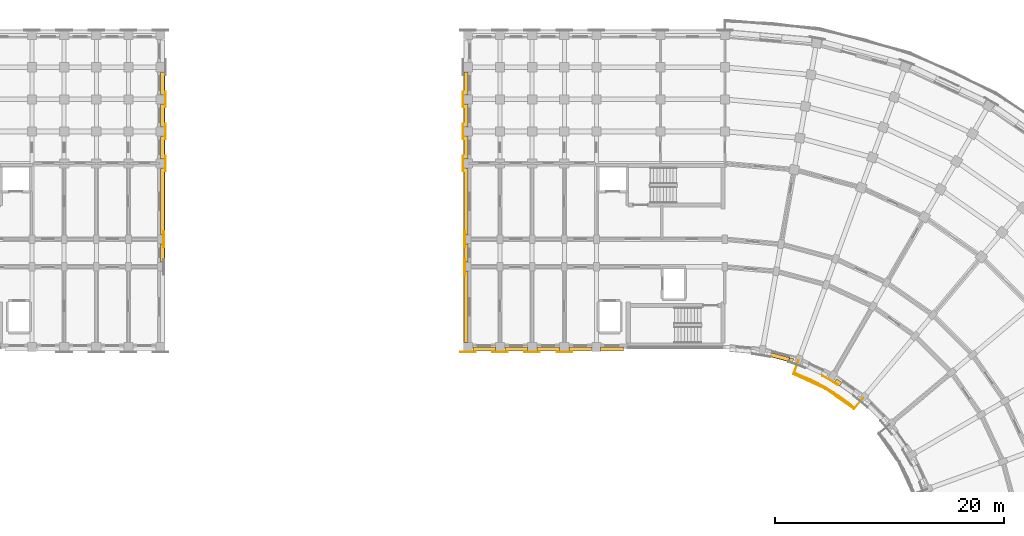
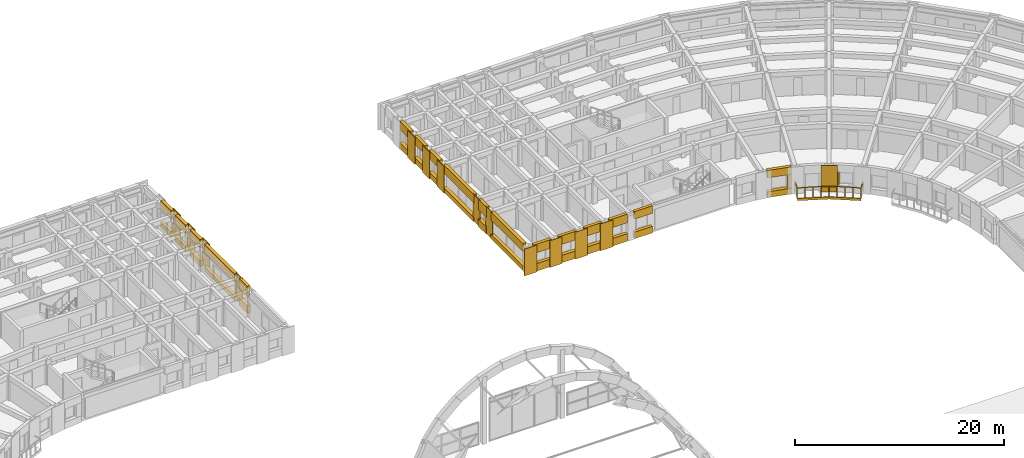
# One storey, part 69 of 76: 51 coverings, 1 railing.
"""IFC4 building model written with IfcOpenShell, lengths in metres."""

from ifc_helpers import new_model, si_unit, direction, frame, origin, origin_2d, place, context, subcontext, project, spatial, polyline, circle, outline, extrude, material, layer, layer_set, type_object, element, save


model = new_model("IFC4")

# Units and contexts
model_context = context("Model", 3, precision=1e-05, world=origin(), true_north=direction((0.0, 1.0)))
body_context = subcontext(model_context, "Body", "Model", "MODEL_VIEW")
ifc_project = project(units=[si_unit("LENGTHUNIT", "METRE"), si_unit("AREAUNIT", "SQUARE_METRE"), si_unit("VOLUMEUNIT", "CUBIC_METRE"), si_unit("PLANEANGLEUNIT", "RADIAN"), si_unit("MASSUNIT", "GRAM", prefix="KILO")], contexts=[model_context])

# Site, building, storey
site_placement = place(None, origin())
site = spatial("IfcSite", under=ifc_project, at=site_placement, CompositionType="ELEMENT")
building_placement = place(site_placement, origin())
building = spatial("IfcBuilding", under=site, at=building_placement, Name="Kiranvali Square Residences", CompositionType="ELEMENT")
storey_placement = place(building_placement, frame((0.0, 0.0, 8.699951171875)))
storey = spatial("IfcBuildingStorey", under=building, at=storey_placement, Name="L02", CompositionType="ELEMENT", Elevation=8.699951171875)

# Coverings
ifc_material_1 = material(Name="Carved Porbandar limestone classical entablature and cornice", Category="masonry")
ifc_layer_1 = layer(ifc_material_1, 0.06201171875)
ifc_layer_set_1 = layer_set([ifc_layer_1], Name="Carved Porbandar limestone classical entablature and cornice")
covering_type_1 = type_object("IfcCoveringType", Name="COV-CLAD-GBAL", PredefinedType="CLADDING", material=ifc_layer_set_1)
covering_1_placement = place(storey_placement, frame((0.0, 0.0, -0.219970703125)))
element("IfcCovering", 1, at=covering_1_placement, inside=storey, type_object=covering_type_1, Name="Block B L02 garden balcony limestone fascia 1", PredefinedType="CLADDING", context=body_context, shape_type="SweptSolid", body=[
    extrude(outline(polyline([(125.778564453125, 104.225830078125), (128.5400390625, 102.938232421875), (131.035888671875, 101.1904296875), (131.07958984375, 101.242431640625), (128.573974609375, 102.9970703125), (125.8017578125, 104.289794921875), (125.778564453125, 104.225830078125)])), origin(), (0.0, 0.0, 1.0), 0.27001953125),
])
ifc_material_2 = material(Name="Honed Porbandar limestone ashlar facade cladding", Category="masonry")
ifc_layer_2 = layer(ifc_material_2, 0.3798828125)
ifc_layer_set_2 = layer_set([ifc_layer_2], Name="Honed Porbandar limestone ashlar facade cladding")
covering_type_2 = type_object("IfcCoveringType", Name="COV-CLAD-JAMB", PredefinedType="CLADDING", material=ifc_layer_set_2)
covering_2_placement = place(storey_placement, frame((0.0, 0.0, 0.672119140625)))
element("IfcCovering", 2, at=covering_2_placement, inside=storey, type_object=covering_type_2, Name="L02 deep limestone window jamb reveal B-L02-GDN-01.R", PredefinedType="CLADDING", context=body_context, shape_type="SweptSolid", body=[
    extrude(outline(polyline([(125.356201171875, 105.348388671875), (125.717041015625, 105.251708984375), (125.804931640625, 105.57958984375), (125.444091796875, 105.67626953125), (125.356201171875, 105.348388671875)])), origin(), (0.0, 0.0, 1.0), 1.599853515625),
])
covering_3_placement = place(storey_placement, frame((0.0, 0.0, 0.77197265625)))
element("IfcCovering", 3, at=covering_3_placement, inside=storey, type_object=covering_type_2, Name="L02 deep limestone window jamb reveal B-L02-GDN-03.L", PredefinedType="CLADDING", context=body_context, shape_type="SweptSolid", body=[
    extrude(outline(polyline([(129.365478515625, 103.55029296875), (129.814697265625, 103.23583984375), (130.009521484375, 103.513916015625), (129.56005859375, 103.828369140625), (129.365478515625, 103.55029296875)])), origin(), (0.0, 0.0, 1.0), 1.5),
])
ifc_layer_3 = layer(ifc_material_2, 0.050048828125)
ifc_layer_set_3 = layer_set([ifc_layer_3], Name="Honed Porbandar limestone ashlar facade cladding")
covering_type_3 = type_object("IfcCoveringType", Name="COV-CLAD-PIER-IN", PredefinedType="CLADDING", material=ifc_layer_set_3)
covering_4_placement = place(storey_placement, frame((0.0, 0.0, 0.005126953125)))
element("IfcCovering", 4, at=covering_4_placement, inside=storey, type_object=covering_type_3, Name="L02 Classical garden courtyard pilaster CLAD-PRIN-B-L02-A03", PredefinedType="CLADDING", context=body_context, shape_type="SweptSolid", body=[
    extrude(outline(polyline([(128.273193359375, 104.075927734375), (129.658935546875, 103.27587890625), (129.692626953125, 103.33447265625), (128.306884765625, 104.134521484375), (128.273193359375, 104.075927734375)])), origin(), (0.0, 0.0, 1.0), 3.139892578125),
])
covering_5_placement = place(storey_placement, frame((0.0, 0.0, 0.005126953125)))
element("IfcCovering", 5, at=covering_5_placement, inside=storey, type_object=covering_type_3, Name="L02 Classical limestone pilaster casing CLAD-PRA1I-B-L02-U140", PredefinedType="CLADDING", context=body_context, shape_type="SweptSolid", body=[
    extrude(outline(polyline([(106.47998046875, 106.199462890625), (105.1201171875, 106.199462890625), (105.1201171875, 106.132080078125), (106.47998046875, 106.132080078125), (106.47998046875, 106.199462890625)])), origin(), (0.0, 0.0, 1.0), 3.139892578125),
])
covering_6_placement = place(storey_placement, frame((0.0, 0.0, 0.005126953125)))
element("IfcCovering", 6, at=covering_6_placement, inside=storey, type_object=covering_type_3, Name="L02 Classical limestone pilaster casing CLAD-PRA1I-B-L02-U167", PredefinedType="CLADDING", context=body_context, shape_type="SweptSolid", body=[
    extrude(outline(polyline([(103.679931640625, 106.199462890625), (102.320068359375, 106.199462890625), (102.320068359375, 106.132080078125), (103.679931640625, 106.132080078125), (103.679931640625, 106.199462890625)])), origin(), (0.0, 0.0, 1.0), 3.139892578125),
])
covering_7_placement = place(storey_placement, frame((0.0, 0.0, 0.005126953125)))
element("IfcCovering", 7, at=covering_7_placement, inside=storey, type_object=covering_type_3, Name="L02 Classical limestone pilaster casing CLAD-PRA1I-B-L02-U195", PredefinedType="CLADDING", context=body_context, shape_type="SweptSolid", body=[
    extrude(outline(polyline([(100.8798828125, 106.199462890625), (99.52001953125, 106.199462890625), (99.52001953125, 106.132080078125), (100.8798828125, 106.132080078125), (100.8798828125, 106.199462890625)])), origin(), (0.0, 0.0, 1.0), 3.139892578125),
])
covering_8_placement = place(storey_placement, frame((0.0, 0.0, 0.005126953125)))
element("IfcCovering", 8, at=covering_8_placement, inside=storey, type_object=covering_type_3, Name="L02 Classical limestone pilaster casing CLAD-PRA1I-B-L02-U224", PredefinedType="CLADDING", context=body_context, shape_type="SweptSolid", body=[
    extrude(outline(polyline([(98.080078125, 106.199462890625), (96.719970703125, 106.199462890625), (96.719970703125, 106.132080078125), (98.080078125, 106.132080078125), (98.080078125, 106.199462890625)])), origin(), (0.0, 0.0, 1.0), 3.139892578125),
])
ifc_layer_4 = layer(ifc_material_2, 0.054931640625)
ifc_layer_set_4 = layer_set([ifc_layer_4], Name="Honed Porbandar limestone ashlar facade cladding")
covering_type_4 = type_object("IfcCoveringType", Name="COV-CLAD-PIER-UP", PredefinedType="CLADDING", material=ifc_layer_set_4)
covering_9_placement = place(storey_placement, frame((0.0, 0.0, 0.005126953125)))
element("IfcCovering", 9, at=covering_9_placement, inside=storey, type_object=covering_type_4, Name="L02 Classical limestone pilaster casing CLAD-PRA1E-A-L02-R282", PredefinedType="CLADDING", context=body_context, shape_type="SweptSolid", body=[
    extrude(outline(polyline([(70.91796875, 115.320068359375), (70.91796875, 116.679931640625), (70.8505859375, 116.679931640625), (70.8505859375, 115.320068359375), (70.91796875, 115.320068359375)])), origin(), (0.0, 0.0, 1.0), 3.139892578125),
])
covering_10_placement = place(storey_placement, frame((0.0, 0.0, 0.005126953125)))
element("IfcCovering", 10, at=covering_10_placement, inside=storey, type_object=covering_type_4, Name="L02 Classical limestone pilaster casing CLAD-PRA1E-A-L02-R348", PredefinedType="CLADDING", context=body_context, shape_type="SweptSolid", body=[
    extrude(outline(polyline([(71.068115234375, 121.919921875), (71.068115234375, 123.280029296875), (71.00048828125, 123.280029296875), (71.00048828125, 121.919921875), (71.068115234375, 121.919921875)])), origin(), (0.0, 0.0, 1.0), 3.139892578125),
])
covering_11_placement = place(storey_placement, frame((0.0, 0.0, 0.005126953125)))
element("IfcCovering", 11, at=covering_11_placement, inside=storey, type_object=covering_type_4, Name="L02 Classical limestone pilaster casing CLAD-PRA1E-A-L02-R376", PredefinedType="CLADDING", context=body_context, shape_type="SweptSolid", body=[
    extrude(outline(polyline([(71.068115234375, 124.719970703125), (71.068115234375, 126.080078125), (71.00048828125, 126.080078125), (71.00048828125, 124.719970703125), (71.068115234375, 124.719970703125)])), origin(), (0.0, 0.0, 1.0), 3.139892578125),
])
covering_12_placement = place(storey_placement, frame((0.0, 0.0, 0.005126953125)))
element("IfcCovering", 12, at=covering_12_placement, inside=storey, type_object=covering_type_4, Name="L02 Classical limestone pilaster casing CLAD-PRA1E-A-L02-R404", PredefinedType="CLADDING", context=body_context, shape_type="SweptSolid", body=[
    extrude(outline(polyline([(71.068115234375, 127.52001953125), (71.068115234375, 128.8798828125), (71.00048828125, 128.8798828125), (71.00048828125, 127.52001953125), (71.068115234375, 127.52001953125)])), origin(), (0.0, 0.0, 1.0), 3.139892578125),
])
covering_13_placement = place(storey_placement, frame((0.0, 0.0, 0.005126953125)))
element("IfcCovering", 13, at=covering_13_placement, inside=storey, type_object=covering_type_4, Name="L02 Classical limestone pilaster casing CLAD-PRA1E-B-L02-R258", PredefinedType="CLADDING", context=body_context, shape_type="SweptSolid", body=[
    extrude(outline(polyline([(97.1494140625, 112.919921875), (97.1494140625, 114.280029296875), (97.08203125, 114.280029296875), (97.08203125, 112.919921875), (97.1494140625, 112.919921875)])), origin(), (0.0, 0.0, 1.0), 3.139892578125),
])
covering_14_placement = place(storey_placement, frame((0.0, 0.0, 0.005126953125)))
element("IfcCovering", 14, at=covering_14_placement, inside=storey, type_object=covering_type_4, Name="L02 Classical limestone pilaster casing CLAD-PRA1E-B-L02-R282", PredefinedType="CLADDING", context=body_context, shape_type="SweptSolid", body=[
    extrude(outline(polyline([(97.1494140625, 115.320068359375), (97.1494140625, 116.679931640625), (97.08203125, 116.679931640625), (97.08203125, 115.320068359375), (97.1494140625, 115.320068359375)])), origin(), (0.0, 0.0, 1.0), 3.139892578125),
])
covering_15_placement = place(storey_placement, frame((0.0, 0.0, 0.005126953125)))
element("IfcCovering", 15, at=covering_15_placement, inside=storey, type_object=covering_type_4, Name="L02 Classical limestone pilaster casing CLAD-PRA1E-B-L02-R348", PredefinedType="CLADDING", context=body_context, shape_type="SweptSolid", body=[
    extrude(outline(polyline([(96.99951171875, 121.919921875), (96.99951171875, 123.280029296875), (96.931884765625, 123.280029296875), (96.931884765625, 121.919921875), (96.99951171875, 121.919921875)])), origin(), (0.0, 0.0, 1.0), 3.139892578125),
])
covering_16_placement = place(storey_placement, frame((0.0, 0.0, 0.005126953125)))
element("IfcCovering", 16, at=covering_16_placement, inside=storey, type_object=covering_type_4, Name="L02 Classical limestone pilaster casing CLAD-PRA1E-B-L02-R376", PredefinedType="CLADDING", context=body_context, shape_type="SweptSolid", body=[
    extrude(outline(polyline([(96.99951171875, 124.719970703125), (96.99951171875, 126.080078125), (96.931884765625, 126.080078125), (96.931884765625, 124.719970703125), (96.99951171875, 124.719970703125)])), origin(), (0.0, 0.0, 1.0), 3.139892578125),
])
covering_17_placement = place(storey_placement, frame((0.0, 0.0, 0.005126953125)))
element("IfcCovering", 17, at=covering_17_placement, inside=storey, type_object=covering_type_4, Name="L02 Classical limestone pilaster casing CLAD-PRA1E-B-L02-R404", PredefinedType="CLADDING", context=body_context, shape_type="SweptSolid", body=[
    extrude(outline(polyline([(96.99951171875, 127.52001953125), (96.99951171875, 128.8798828125), (96.931884765625, 128.8798828125), (96.931884765625, 127.52001953125), (96.99951171875, 127.52001953125)])), origin(), (0.0, 0.0, 1.0), 3.139892578125),
])
ifc_layer_5 = layer(ifc_material_2, 0.360107421875)
ifc_layer_set_5 = layer_set([ifc_layer_5], Name="Honed Porbandar limestone ashlar facade cladding")
covering_type_5 = type_object("IfcCoveringType", Name="COV-CLAD-WALL", PredefinedType="CLADDING", material=ifc_layer_set_5)
covering_18_placement = place(storey_placement, frame((0.0, 0.0, 1.929931640625)))
element("IfcCovering", 18, at=covering_18_placement, inside=storey, type_object=covering_type_5, Name="L02 light limestone spandrel lintel A-L02-A1END-1", PredefinedType="CLADDING", context=body_context, shape_type="SweptSolid", body=[
    extrude(outline(polyline([(70.93994140625, 114.02001953125), (70.93994140625, 115.580078125), (70.6005859375, 115.580078125), (70.6005859375, 114.02001953125), (70.93994140625, 114.02001953125)])), origin(), (0.0, 0.0, 1.0), 1.215087890625),
])
covering_19_placement = place(storey_placement, frame((0.0, 0.0, 0.005126953125)))
element("IfcCovering", 19, at=covering_19_placement, inside=storey, type_object=covering_type_5, Name="L02 limestone window sill apron A-L02-A1END-1", PredefinedType="CLADDING", context=body_context, shape_type="SweptSolid", body=[
    extrude(outline(polyline([(70.969970703125, 114.02001953125), (70.969970703125, 115.580078125), (70.6005859375, 115.580078125), (70.6005859375, 114.02001953125), (70.969970703125, 114.02001953125)])), origin(), (0.0, 0.0, 1.0), 0.875),
])
covering_20_placement = place(storey_placement, frame((0.0, 0.0, 2.172119140625)))
element("IfcCovering", 20, at=covering_20_placement, inside=storey, type_object=covering_type_5, Name="L02 light limestone spandrel lintel A-L02-A1END-2", PredefinedType="CLADDING", context=body_context, shape_type="SweptSolid", body=[
    extrude(outline(polyline([(70.93994140625, 116.419921875), (70.93994140625, 122.179931640625), (70.6005859375, 122.179931640625), (70.6005859375, 116.419921875), (70.93994140625, 116.419921875)])), origin(), (0.0, 0.0, 1.0), 0.972900390625),
])
covering_21_placement = place(storey_placement, frame((0.0, 0.0, 0.005126953125)))
element("IfcCovering", 21, at=covering_21_placement, inside=storey, type_object=covering_type_5, Name="L02 limestone window sill apron A-L02-A1END-2", PredefinedType="CLADDING", context=body_context, shape_type="SweptSolid", body=[
    extrude(outline(polyline([(70.969970703125, 116.419921875), (70.969970703125, 122.179931640625), (70.6005859375, 122.179931640625), (70.6005859375, 116.419921875), (70.969970703125, 116.419921875)])), origin(), (0.0, 0.0, 1.0), 0.516845703125),
])
covering_22_placement = place(storey_placement, frame((0.0, 0.0, 2.172119140625)))
element("IfcCovering", 22, at=covering_22_placement, inside=storey, type_object=covering_type_5, Name="L02 light limestone spandrel lintel A-L02-A1END-3", PredefinedType="CLADDING", context=body_context, shape_type="SweptSolid", body=[
    extrude(outline(polyline([(70.93994140625, 123.02001953125), (70.93994140625, 124.97998046875), (70.6005859375, 124.97998046875), (70.6005859375, 123.02001953125), (70.93994140625, 123.02001953125)])), origin(), (0.0, 0.0, 1.0), 0.972900390625),
])
covering_23_placement = place(storey_placement, frame((0.0, 0.0, 0.005126953125)))
element("IfcCovering", 23, at=covering_23_placement, inside=storey, type_object=covering_type_5, Name="L02 limestone window sill apron A-L02-A1END-3", PredefinedType="CLADDING", context=body_context, shape_type="SweptSolid", body=[
    extrude(outline(polyline([(70.969970703125, 123.02001953125), (70.969970703125, 124.97998046875), (70.6005859375, 124.97998046875), (70.6005859375, 123.02001953125), (70.969970703125, 123.02001953125)])), origin(), (0.0, 0.0, 1.0), 0.6669921875),
])
covering_24_placement = place(storey_placement, frame((0.0, 0.0, 2.172119140625)))
element("IfcCovering", 24, at=covering_24_placement, inside=storey, type_object=covering_type_5, Name="L02 light limestone spandrel lintel A-L02-A1END-4", PredefinedType="CLADDING", context=body_context, shape_type="SweptSolid", body=[
    extrude(outline(polyline([(70.93994140625, 125.820068359375), (70.93994140625, 127.780029296875), (70.6005859375, 127.780029296875), (70.6005859375, 125.820068359375), (70.93994140625, 125.820068359375)])), origin(), (0.0, 0.0, 1.0), 0.972900390625),
])
covering_25_placement = place(storey_placement, frame((0.0, 0.0, 0.005126953125)))
element("IfcCovering", 25, at=covering_25_placement, inside=storey, type_object=covering_type_5, Name="L02 limestone window sill apron A-L02-A1END-4", PredefinedType="CLADDING", context=body_context, shape_type="SweptSolid", body=[
    extrude(outline(polyline([(70.969970703125, 125.820068359375), (70.969970703125, 127.780029296875), (70.6005859375, 127.780029296875), (70.6005859375, 125.820068359375), (70.969970703125, 125.820068359375)])), origin(), (0.0, 0.0, 1.0), 0.6669921875),
])
covering_26_placement = place(storey_placement, frame((0.0, 0.0, 2.172119140625)))
element("IfcCovering", 26, at=covering_26_placement, inside=storey, type_object=covering_type_5, Name="L02 light limestone spandrel lintel A-L02-A1END-5", PredefinedType="CLADDING", context=body_context, shape_type="SweptSolid", body=[
    extrude(outline(polyline([(70.93994140625, 128.6201171875), (70.93994140625, 130.580078125), (70.6005859375, 130.580078125), (70.6005859375, 128.6201171875), (70.93994140625, 128.6201171875)])), origin(), (0.0, 0.0, 1.0), 0.972900390625),
])
covering_27_placement = place(storey_placement, frame((0.0, 0.0, 0.005126953125)))
element("IfcCovering", 27, at=covering_27_placement, inside=storey, type_object=covering_type_5, Name="L02 limestone window sill apron A-L02-A1END-5", PredefinedType="CLADDING", context=body_context, shape_type="SweptSolid", body=[
    extrude(outline(polyline([(70.969970703125, 128.6201171875), (70.969970703125, 130.580078125), (70.6005859375, 130.580078125), (70.6005859375, 128.6201171875), (70.969970703125, 128.6201171875)])), origin(), (0.0, 0.0, 1.0), 0.6669921875),
])
covering_28_placement = place(storey_placement, frame((0.0, 0.0, 2.27197265625)))
element("IfcCovering", 28, at=covering_28_placement, inside=storey, type_object=covering_type_5, Name="L02 light limestone spandrel lintel B-L02-GDN-01", PredefinedType="CLADDING", context=body_context, shape_type="SweptSolid", body=[
    extrude(outline(polyline([(123.401611328125, 105.8720703125), (125.717041015625, 105.251708984375), (125.804931640625, 105.57958984375), (123.489501953125, 106.199951171875), (123.401611328125, 105.8720703125)])), origin(), (0.0, 0.0, 1.0), 0.873046875),
])
covering_29_placement = place(storey_placement, frame((0.0, 0.0, 2.27197265625)))
element("IfcCovering", 29, at=covering_29_placement, inside=storey, type_object=covering_type_5, Name="L02 light limestone spandrel lintel B-L02-A1IN-0", PredefinedType="CLADDING", context=body_context, shape_type="SweptSolid", body=[
    extrude(outline(polyline([(110.949951171875, 106.599609375), (108.949951171875, 106.599609375), (108.949951171875, 106.280029296875), (110.949951171875, 106.280029296875), (110.949951171875, 106.599609375)])), origin(), (0.0, 0.0, 1.0), 0.873046875),
])
covering_30_placement = place(storey_placement, frame((0.0, 0.0, 0.005126953125)))
element("IfcCovering", 30, at=covering_30_placement, inside=storey, type_object=covering_type_5, Name="L02 limestone window sill apron B-L02-A1IN-0", PredefinedType="CLADDING", context=body_context, shape_type="SweptSolid", body=[
    extrude(outline(polyline([(110.949951171875, 106.599609375), (108.949951171875, 106.599609375), (108.949951171875, 106.25), (110.949951171875, 106.25), (110.949951171875, 106.599609375)])), origin(), (0.0, 0.0, 1.0), 0.766845703125),
])
covering_31_placement = place(storey_placement, frame((0.0, 0.0, 2.130126953125)))
element("IfcCovering", 31, at=covering_31_placement, inside=storey, type_object=covering_type_5, Name="L02 light limestone spandrel lintel B-L02-A1I-0", PredefinedType="CLADDING", context=body_context, shape_type="SweptSolid", body=[
    extrude(outline(polyline([(108.179931640625, 106.599609375), (106.219970703125, 106.599609375), (106.219970703125, 106.280029296875), (108.179931640625, 106.280029296875), (108.179931640625, 106.599609375)])), origin(), (0.0, 0.0, 1.0), 1.014892578125),
])
covering_32_placement = place(storey_placement, frame((0.0, 0.0, 0.005126953125)))
element("IfcCovering", 32, at=covering_32_placement, inside=storey, type_object=covering_type_5, Name="L02 limestone window sill apron B-L02-A1I-0", PredefinedType="CLADDING", context=body_context, shape_type="SweptSolid", body=[
    extrude(outline(polyline([(108.179931640625, 106.599609375), (106.219970703125, 106.599609375), (106.219970703125, 106.25), (108.179931640625, 106.25), (108.179931640625, 106.599609375)])), origin(), (0.0, 0.0, 1.0), 0.875),
])
covering_33_placement = place(storey_placement, frame((0.0, 0.0, 2.130126953125)))
element("IfcCovering", 33, at=covering_33_placement, inside=storey, type_object=covering_type_5, Name="L02 light limestone spandrel lintel B-L02-A1I-1", PredefinedType="CLADDING", context=body_context, shape_type="SweptSolid", body=[
    extrude(outline(polyline([(105.3798828125, 106.599609375), (103.419921875, 106.599609375), (103.419921875, 106.280029296875), (105.3798828125, 106.280029296875), (105.3798828125, 106.599609375)])), origin(), (0.0, 0.0, 1.0), 1.014892578125),
])
covering_34_placement = place(storey_placement, frame((0.0, 0.0, 0.005126953125)))
element("IfcCovering", 34, at=covering_34_placement, inside=storey, type_object=covering_type_5, Name="L02 limestone window sill apron B-L02-A1I-1", PredefinedType="CLADDING", context=body_context, shape_type="SweptSolid", body=[
    extrude(outline(polyline([(105.3798828125, 106.599609375), (103.419921875, 106.599609375), (103.419921875, 106.25), (105.3798828125, 106.25), (105.3798828125, 106.599609375)])), origin(), (0.0, 0.0, 1.0), 0.875),
])
covering_35_placement = place(storey_placement, frame((0.0, 0.0, 2.130126953125)))
element("IfcCovering", 35, at=covering_35_placement, inside=storey, type_object=covering_type_5, Name="L02 light limestone spandrel lintel B-L02-A1I-2", PredefinedType="CLADDING", context=body_context, shape_type="SweptSolid", body=[
    extrude(outline(polyline([(102.580078125, 106.599609375), (100.6201171875, 106.599609375), (100.6201171875, 106.280029296875), (102.580078125, 106.280029296875), (102.580078125, 106.599609375)])), origin(), (0.0, 0.0, 1.0), 1.014892578125),
])
covering_36_placement = place(storey_placement, frame((0.0, 0.0, 0.005126953125)))
element("IfcCovering", 36, at=covering_36_placement, inside=storey, type_object=covering_type_5, Name="L02 limestone window sill apron B-L02-A1I-2", PredefinedType="CLADDING", context=body_context, shape_type="SweptSolid", body=[
    extrude(outline(polyline([(102.580078125, 106.599609375), (100.6201171875, 106.599609375), (100.6201171875, 106.25), (102.580078125, 106.25), (102.580078125, 106.599609375)])), origin(), (0.0, 0.0, 1.0), 0.875),
])
covering_37_placement = place(storey_placement, frame((0.0, 0.0, 2.130126953125)))
element("IfcCovering", 37, at=covering_37_placement, inside=storey, type_object=covering_type_5, Name="L02 light limestone spandrel lintel B-L02-A1I-3", PredefinedType="CLADDING", context=body_context, shape_type="SweptSolid", body=[
    extrude(outline(polyline([(99.780029296875, 106.599609375), (97.820068359375, 106.599609375), (97.820068359375, 106.280029296875), (99.780029296875, 106.280029296875), (99.780029296875, 106.599609375)])), origin(), (0.0, 0.0, 1.0), 1.014892578125),
])
covering_38_placement = place(storey_placement, frame((0.0, 0.0, 0.005126953125)))
element("IfcCovering", 38, at=covering_38_placement, inside=storey, type_object=covering_type_5, Name="L02 limestone window sill apron B-L02-A1I-3", PredefinedType="CLADDING", context=body_context, shape_type="SweptSolid", body=[
    extrude(outline(polyline([(99.780029296875, 106.599609375), (97.820068359375, 106.599609375), (97.820068359375, 106.25), (99.780029296875, 106.25), (99.780029296875, 106.599609375)])), origin(), (0.0, 0.0, 1.0), 0.875),
])
covering_39_placement = place(storey_placement, frame((0.0, 0.0, 2.172119140625)))
element("IfcCovering", 39, at=covering_39_placement, inside=storey, type_object=covering_type_5, Name="L02 light limestone spandrel lintel B-L02-A1END-0", PredefinedType="CLADDING", context=body_context, shape_type="SweptSolid", body=[
    extrude(outline(polyline([(97.3994140625, 107.02001953125), (97.3994140625, 113.179931640625), (97.06005859375, 113.179931640625), (97.06005859375, 107.02001953125), (97.3994140625, 107.02001953125)])), origin(), (0.0, 0.0, 1.0), 0.972900390625),
])
covering_40_placement = place(storey_placement, frame((0.0, 0.0, 0.005126953125)))
element("IfcCovering", 40, at=covering_40_placement, inside=storey, type_object=covering_type_5, Name="L02 limestone window sill apron B-L02-A1END-0", PredefinedType="CLADDING", context=body_context, shape_type="SweptSolid", body=[
    extrude(outline(polyline([(97.3994140625, 107.02001953125), (97.3994140625, 113.179931640625), (97.030029296875, 113.179931640625), (97.030029296875, 107.02001953125), (97.3994140625, 107.02001953125)])), origin(), (0.0, 0.0, 1.0), 0.516845703125),
])
covering_41_placement = place(storey_placement, frame((0.0, 0.0, 1.929931640625)))
element("IfcCovering", 41, at=covering_41_placement, inside=storey, type_object=covering_type_5, Name="L02 light limestone spandrel lintel B-L02-A1END-1", PredefinedType="CLADDING", context=body_context, shape_type="SweptSolid", body=[
    extrude(outline(polyline([(97.3994140625, 114.02001953125), (97.3994140625, 115.580078125), (97.06005859375, 115.580078125), (97.06005859375, 114.02001953125), (97.3994140625, 114.02001953125)])), origin(), (0.0, 0.0, 1.0), 1.215087890625),
])
covering_42_placement = place(storey_placement, frame((0.0, 0.0, 0.005126953125)))
element("IfcCovering", 42, at=covering_42_placement, inside=storey, type_object=covering_type_5, Name="L02 limestone window sill apron B-L02-A1END-1", PredefinedType="CLADDING", context=body_context, shape_type="SweptSolid", body=[
    extrude(outline(polyline([(97.3994140625, 114.02001953125), (97.3994140625, 115.580078125), (97.030029296875, 115.580078125), (97.030029296875, 114.02001953125), (97.3994140625, 114.02001953125)])), origin(), (0.0, 0.0, 1.0), 0.875),
])
covering_43_placement = place(storey_placement, frame((0.0, 0.0, 2.172119140625)))
element("IfcCovering", 43, at=covering_43_placement, inside=storey, type_object=covering_type_5, Name="L02 light limestone spandrel lintel B-L02-A1END-2", PredefinedType="CLADDING", context=body_context, shape_type="SweptSolid", body=[
    extrude(outline(polyline([(97.3994140625, 116.419921875), (97.3994140625, 122.179931640625), (97.06005859375, 122.179931640625), (97.06005859375, 116.419921875), (97.3994140625, 116.419921875)])), origin(), (0.0, 0.0, 1.0), 0.972900390625),
])
covering_44_placement = place(storey_placement, frame((0.0, 0.0, 0.005126953125)))
element("IfcCovering", 44, at=covering_44_placement, inside=storey, type_object=covering_type_5, Name="L02 limestone window sill apron B-L02-A1END-2", PredefinedType="CLADDING", context=body_context, shape_type="SweptSolid", body=[
    extrude(outline(polyline([(97.3994140625, 116.419921875), (97.3994140625, 122.179931640625), (97.030029296875, 122.179931640625), (97.030029296875, 116.419921875), (97.3994140625, 116.419921875)])), origin(), (0.0, 0.0, 1.0), 0.516845703125),
])
covering_45_placement = place(storey_placement, frame((0.0, 0.0, 2.172119140625)))
element("IfcCovering", 45, at=covering_45_placement, inside=storey, type_object=covering_type_5, Name="L02 light limestone spandrel lintel B-L02-A1END-3", PredefinedType="CLADDING", context=body_context, shape_type="SweptSolid", body=[
    extrude(outline(polyline([(97.3994140625, 123.02001953125), (97.3994140625, 124.97998046875), (97.06005859375, 124.97998046875), (97.06005859375, 123.02001953125), (97.3994140625, 123.02001953125)])), origin(), (0.0, 0.0, 1.0), 0.972900390625),
])
covering_46_placement = place(storey_placement, frame((0.0, 0.0, 0.005126953125)))
element("IfcCovering", 46, at=covering_46_placement, inside=storey, type_object=covering_type_5, Name="L02 limestone window sill apron B-L02-A1END-3", PredefinedType="CLADDING", context=body_context, shape_type="SweptSolid", body=[
    extrude(outline(polyline([(97.3994140625, 123.02001953125), (97.3994140625, 124.97998046875), (97.030029296875, 124.97998046875), (97.030029296875, 123.02001953125), (97.3994140625, 123.02001953125)])), origin(), (0.0, 0.0, 1.0), 0.6669921875),
])
covering_47_placement = place(storey_placement, frame((0.0, 0.0, 2.172119140625)))
element("IfcCovering", 47, at=covering_47_placement, inside=storey, type_object=covering_type_5, Name="L02 light limestone spandrel lintel B-L02-A1END-4", PredefinedType="CLADDING", context=body_context, shape_type="SweptSolid", body=[
    extrude(outline(polyline([(97.3994140625, 125.820068359375), (97.3994140625, 127.780029296875), (97.06005859375, 127.780029296875), (97.06005859375, 125.820068359375), (97.3994140625, 125.820068359375)])), origin(), (0.0, 0.0, 1.0), 0.972900390625),
])
covering_48_placement = place(storey_placement, frame((0.0, 0.0, 0.005126953125)))
element("IfcCovering", 48, at=covering_48_placement, inside=storey, type_object=covering_type_5, Name="L02 limestone window sill apron B-L02-A1END-4", PredefinedType="CLADDING", context=body_context, shape_type="SweptSolid", body=[
    extrude(outline(polyline([(97.3994140625, 125.820068359375), (97.3994140625, 127.780029296875), (97.030029296875, 127.780029296875), (97.030029296875, 125.820068359375), (97.3994140625, 125.820068359375)])), origin(), (0.0, 0.0, 1.0), 0.6669921875),
])
covering_49_placement = place(storey_placement, frame((0.0, 0.0, 2.172119140625)))
element("IfcCovering", 49, at=covering_49_placement, inside=storey, type_object=covering_type_5, Name="L02 light limestone spandrel lintel B-L02-A1END-5", PredefinedType="CLADDING", context=body_context, shape_type="SweptSolid", body=[
    extrude(outline(polyline([(97.3994140625, 128.6201171875), (97.3994140625, 130.580078125), (97.06005859375, 130.580078125), (97.06005859375, 128.6201171875), (97.3994140625, 128.6201171875)])), origin(), (0.0, 0.0, 1.0), 0.972900390625),
])
covering_50_placement = place(storey_placement, frame((0.0, 0.0, 0.005126953125)))
element("IfcCovering", 50, at=covering_50_placement, inside=storey, type_object=covering_type_5, Name="L02 limestone window sill apron B-L02-A1END-5", PredefinedType="CLADDING", context=body_context, shape_type="SweptSolid", body=[
    extrude(outline(polyline([(97.3994140625, 128.6201171875), (97.3994140625, 130.580078125), (97.030029296875, 130.580078125), (97.030029296875, 128.6201171875), (97.3994140625, 128.6201171875)])), origin(), (0.0, 0.0, 1.0), 0.6669921875),
])
ifc_layer_6 = layer(ifc_material_2, 0.2900390625)
ifc_layer_set_6 = layer_set([ifc_layer_6], Name="Honed Porbandar limestone ashlar facade cladding")
covering_type_6 = type_object("IfcCoveringType", Name="COV-CLAD-WALL-IN", PredefinedType="CLADDING", material=ifc_layer_set_6)
covering_51_placement = place(storey_placement, frame((0.0, 0.0, 0.005126953125)))
element("IfcCovering", 51, at=covering_51_placement, inside=storey, type_object=covering_type_6, Name="L02 limestone window sill apron B-L02-GDN-01", PredefinedType="CLADDING", context=body_context, shape_type="SweptSolid", body=[
    extrude(outline(polyline([(123.393798828125, 105.843017578125), (125.709228515625, 105.22265625), (125.804931640625, 105.57958984375), (123.489501953125, 106.199951171875), (123.393798828125, 105.843017578125)])), origin(), (0.0, 0.0, 1.0), 0.6669921875),
])

# Railing
ifc_material_3 = material(Name="Powder-coated architectural bronze balustrade", Category="steel")
railing_type = type_object("IfcRailingType", Name="RL-BAL-GOLD-1200", PredefinedType="BALUSTRADE", material=ifc_material_3)
railing_placement = place(storey_placement, frame((126.21630859375, 105.4287109375, 0.0)))
element("IfcRailing", 52, at=railing_placement, inside=storey, type_object=railing_type, Name="Block B L02 garden balcony gold balustrade 1", PredefinedType="BALUSTRADE", context=body_context, shape_type="SweptSolid", body=[
    extrude(circle(Radius=0.02392578125, at=origin_2d()), frame((0.0, 0.0, 1.17578125), z_axis=(-0.341964618562, -0.939712828289, 0.0), x_axis=(0.939712828289, -0.341964618562, 0.0)), (0.0, 0.0, 1.0), 1.150146484375),
    extrude(circle(Radius=0.02392578125, at=origin_2d()), frame((-0.393310546875, -1.080810546875, 1.17578125), z_axis=(0.923892883829, -0.382651197843, 0.0), x_axis=(0.382651197843, 0.923892883829, 0.0)), (0.0, 0.0, 1.0), 1.536376953125),
    extrude(circle(Radius=0.02392578125, at=origin_2d()), frame((1.026123046875, -1.668701171875, 1.17578125), z_axis=(0.887029366154, -0.461713009976, 0.0), x_axis=(0.461713009976, 0.887029366154, 0.0)), (0.0, 0.0, 1.0), 1.5361328125),
    extrude(circle(Radius=0.02392578125, at=origin_2d()), frame((2.388671875, -2.3779296875, 1.17578125), z_axis=(0.843386539688, -0.537307309343, 0.0), x_axis=(0.537307309343, 0.843386539688, 0.0)), (0.0, 0.0, 1.0), 1.5361328125),
    extrude(circle(Radius=0.02392578125, at=origin_2d()), frame((3.684326171875, -3.203369140625, 1.17578125), z_axis=(0.793314680996, -0.608811807471, 0.0), x_axis=(0.608811807471, 0.793314680996, 0.0)), (0.0, 0.0, 1.0), 1.536376953125),
    extrude(circle(Radius=0.02392578125, at=origin_2d()), frame((4.903076171875, -4.138671875, 1.17578125), z_axis=(0.642853454051, 0.765989188314, 0.0), x_axis=(-0.765989188314, 0.642853454051, 0.0)), (0.0, 0.0, 1.0), 1.14990234375),
    extrude(circle(Radius=0.02099609375, at=origin_2d()), origin(), (0.0, 0.0, 1.0), 1.15185546875),
    extrude(circle(Radius=0.02099609375, at=origin_2d()), frame((-0.393310546875, -1.080810546875, 0.0)), (0.0, 0.0, 1.0), 1.15185546875),
    extrude(circle(Radius=0.02099609375, at=origin_2d()), frame((0.31640625, -1.374755859375, 0.0)), (0.0, 0.0, 1.0), 1.15185546875),
    extrude(circle(Radius=0.02099609375, at=origin_2d()), frame((1.026123046875, -1.668701171875, 0.0)), (0.0, 0.0, 1.0), 1.15185546875),
    extrude(circle(Radius=0.02099609375, at=origin_2d()), frame((1.70751953125, -2.0234375, 0.0)), (0.0, 0.0, 1.0), 1.15185546875),
    extrude(circle(Radius=0.02099609375, at=origin_2d()), frame((2.388671875, -2.3779296875, 0.0)), (0.0, 0.0, 1.0), 1.15185546875),
    extrude(circle(Radius=0.02099609375, at=origin_2d()), frame((3.03662109375, -2.79052734375, 0.0)), (0.0, 0.0, 1.0), 1.15185546875),
    extrude(circle(Radius=0.02099609375, at=origin_2d()), frame((3.684326171875, -3.203369140625, 0.0)), (0.0, 0.0, 1.0), 1.15185546875),
    extrude(circle(Radius=0.02099609375, at=origin_2d()), frame((4.293701171875, -3.6708984375, 0.0)), (0.0, 0.0, 1.0), 1.15185546875),
    extrude(circle(Radius=0.02099609375, at=origin_2d()), frame((4.903076171875, -4.138671875, 0.0)), (0.0, 0.0, 1.0), 1.15185546875),
    extrude(circle(Radius=0.02099609375, at=origin_2d()), frame((5.642333984375, -3.2578125, 0.0)), (0.0, 0.0, 1.0), 1.15185546875),
])

save(model, "model.ifc")
